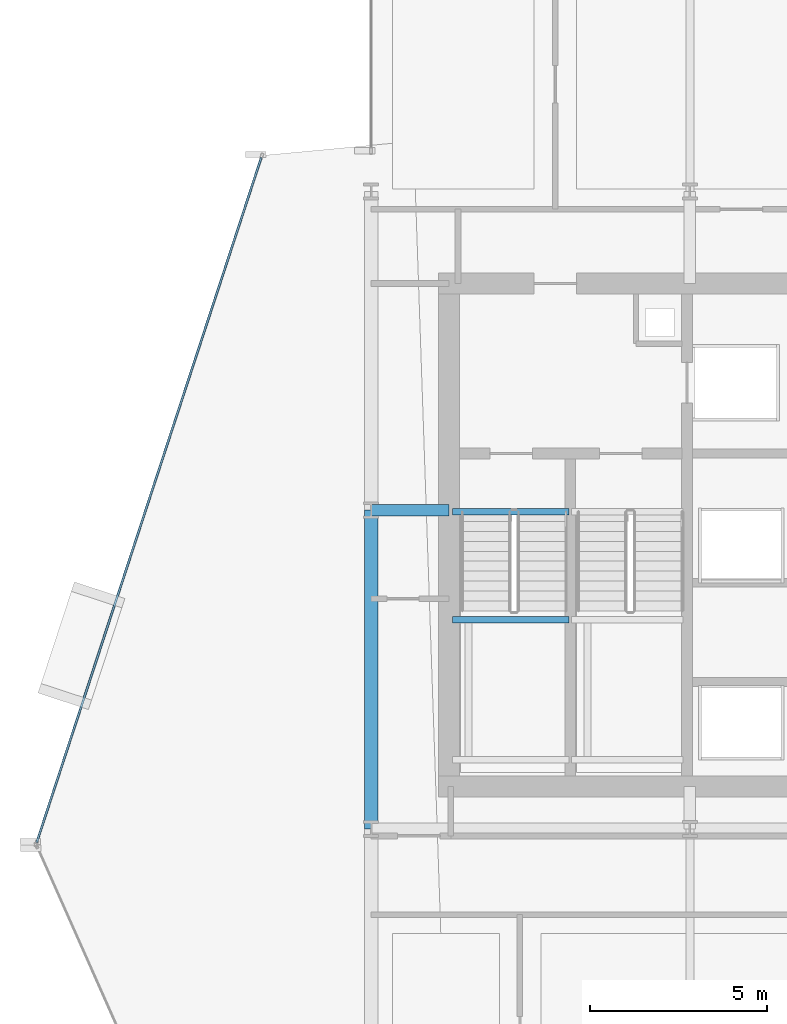
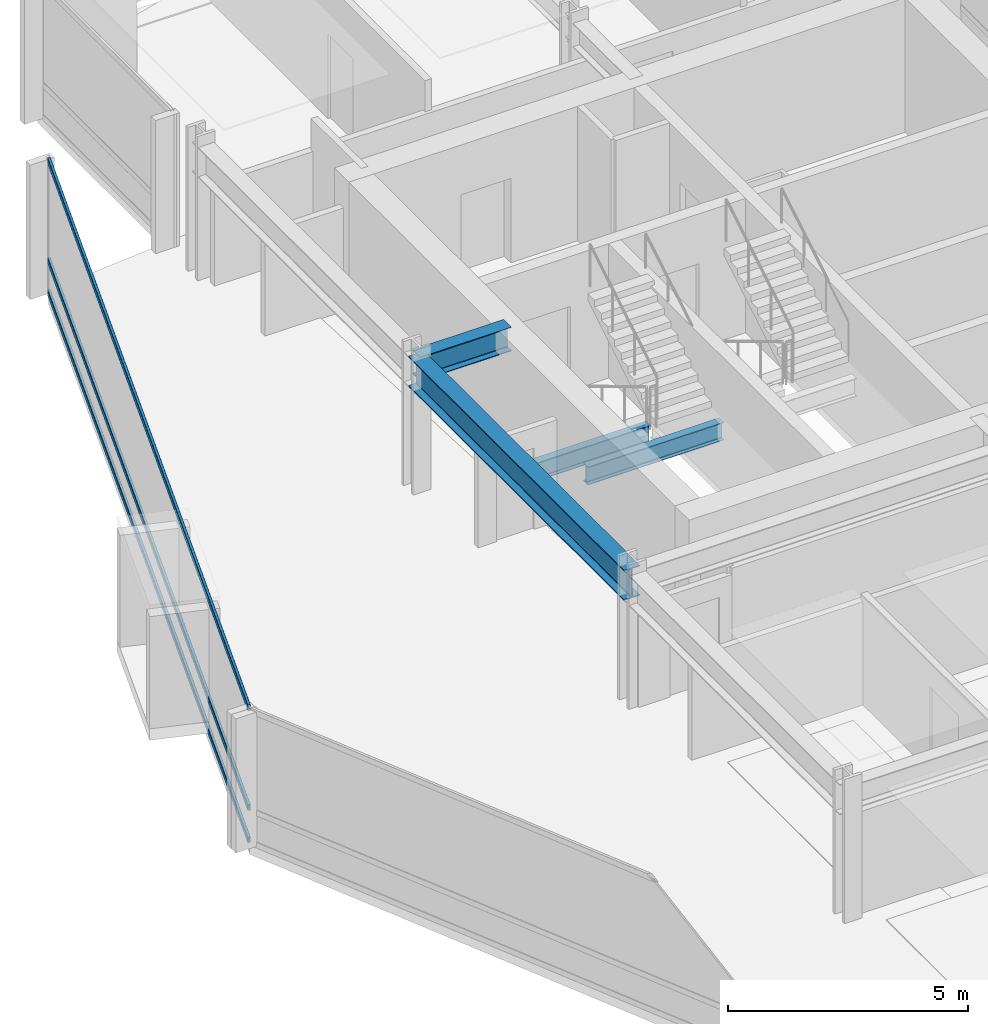
# One storey, part 18 of 34: 4 beams, 3 members, 1 element without a shape of its own.
"""IFC4 building model written with IfcOpenShell, lengths in metres."""

from ifc_helpers import new_model, si_unit, direction, frame, origin, origin_2d, place, context, subcontext, project, spatial, hollow_rectangle, i_section, extrude, material, layer, layer_set, material_profile, profile_set, type_object, element, aggregate, save


model = new_model("IFC4")

# Units and contexts
model_context = context("Model", 3, precision=1e-05, world=origin(), true_north=direction((0.0, 1.0)))
body_context = subcontext(model_context, "Body", "Model", "MODEL_VIEW")
ifc_project = project(units=[si_unit("LENGTHUNIT", "METRE"), si_unit("AREAUNIT", "SQUARE_METRE"), si_unit("VOLUMEUNIT", "CUBIC_METRE"), si_unit("PLANEANGLEUNIT", "RADIAN"), si_unit("MASSUNIT", "GRAM", prefix="KILO")], contexts=[model_context])

# Site, building, storey
site_placement = place(None, origin())
site = spatial("IfcSite", under=ifc_project, at=site_placement, CompositionType="ELEMENT")
building_placement = place(site_placement, origin())
building = spatial("IfcBuilding", under=site, at=building_placement, Name="Solvaryn Broadcast Tower", CompositionType="ELEMENT")
storey_placement = place(building_placement, frame((0.0, 0.0, 69.300048828125)))
storey = spatial("IfcBuildingStorey", under=building, at=storey_placement, Name="L16", CompositionType="ELEMENT", Elevation=69.300048828125)

# Beams
ifc_material_1 = material(Name="Steel ASTM A992 Grade 50", Category="steel")
ifc_material_profile_1 = material_profile(ifc_material_1, i_section(OverallWidth=0.323974609375, OverallDepth=0.611083984375, WebThickness=0.0126953125, FlangeThickness=0.01904296875, FilletRadius=0.014892578125, at=origin_2d()))
ifc_profile_set_1 = profile_set([ifc_material_profile_1], Name="Steel ASTM A992 Grade 50")
beam_type_1 = type_object("IfcBeamType", Name="BM-B1-W24X104", PredefinedType="BEAM", material=ifc_profile_set_1)
beam_1_placement = place(storey_placement, frame((9.0, 36.0, 3.114501953125), z_axis=(1.0, 0.0, 0.0), x_axis=(0.0, 1.0, 0.0)))
element("IfcBeam", 1, at=beam_1_placement, inside=storey, type_object=beam_type_1, Name="L16 Core Tie Beam CTW1", PredefinedType="BEAM", context=body_context, shape_type="SweptSolid", body=[
    extrude(i_section(OverallWidth=0.323974609375, OverallDepth=0.611083984375, WebThickness=0.0126953125, FlangeThickness=0.01904296875, FilletRadius=0.014892578125, at=origin_2d()), origin(), (0.0, 0.0, 1.0), 2.199951171875),
])
ifc_material_2 = material(Name="Steel ASTM A992 Grade 50", Category="steel")
ifc_material_profile_2 = material_profile(ifc_material_2, i_section(OverallWidth=0.18994140625, OverallDepth=0.45703125, WebThickness=0.009033203125, FlangeThickness=0.014404296875, FilletRadius=0.011962890625, at=origin_2d()))
ifc_profile_set_2 = profile_set([ifc_material_profile_2], Name="Steel ASTM A992 Grade 50")
beam_type_2 = type_object("IfcBeamType", Name="BM-B4-W18X50", PredefinedType="BEAM", material=ifc_profile_set_2)
for number, where, z_axis, x_axis, name in (
    (2, (11.300048828125, 35.9599609375, -0.508544921875), (1.0, 0.0, 0.0), (0.0, 1.0, 0.0), "L16 ST1 Stair Well Trimmer Beam"),
    (3, (11.300048828125, 32.909912109375, 1.42138671875), (1.0, 0.0, 0.0), (0.0, 1.0, 0.0), "L16 ST1 Landing Support Beam 1B"),
):
    element("IfcBeam", number, at=place(storey_placement, frame(where, z_axis=z_axis, x_axis=x_axis)), inside=storey, type_object=beam_type_2, Name=name, PredefinedType="BEAM", context=body_context, shape_type="SweptSolid", body=[
        extrude(i_section(OverallWidth=0.18994140625, OverallDepth=0.45703125, WebThickness=0.009033203125, FlangeThickness=0.014404296875, FilletRadius=0.011962890625, at=origin_2d()), origin(), (0.0, 0.0, 1.0), 3.280029296875),
    ])
ifc_material_3 = material(Name="Steel ASTM A992 Grade 50", Category="steel")
ifc_material_profile_3 = material_profile(ifc_material_3, i_section(OverallWidth=0.381103515625, OverallDepth=0.77294921875, WebThickness=0.0166015625, FlangeThickness=0.027099609375, FilletRadius=0.01806640625, at=origin_2d()))
ifc_profile_set_3 = profile_set([ifc_material_profile_3], Name="Steel ASTM A992 Grade 50")
beam_type_3 = type_object("IfcBeamType", Name="BM-SP1-W30X173", PredefinedType="USERDEFINED", material=ifc_profile_set_3)
beam_2_placement = place(storey_placement, frame((9.0, 27.0, 3.033447265625), z_axis=(0.0, 1.0, 0.0), x_axis=(-1.0, 0.0, 0.0)))
element("IfcBeam", 4, at=beam_2_placement, inside=storey, type_object=beam_type_3, Name="L16 Spandrel Beam Y (27-36 @ X=9)", ObjectType="SPANDREL", PredefinedType="USERDEFINED", context=body_context, shape_type="SweptSolid", body=[
    extrude(i_section(OverallWidth=0.381103515625, OverallDepth=0.77294921875, WebThickness=0.0166015625, FlangeThickness=0.027099609375, FilletRadius=0.01806640625, at=origin_2d()), origin(), (0.0, 0.0, 1.0), 9.0),
])

# Curtain wall, members
ifc_material_4 = material(Name="Aluminium and Terracotta Unitised Curtain Wall", Category="masonry")
ifc_layer = layer(ifc_material_4, 0.199951171875)
ifc_layer_set = layer_set([ifc_layer], Name="CW-SYS2-LOWMID")
curtain_wall_type = type_object("IfcCurtainWallType", Name="CW-SYS2-LOWMID", PredefinedType="NOTDEFINED", material=ifc_layer_set)
curtain_wall_placement = place(storey_placement, origin())
curtain_wall = element("IfcCurtainWall", 5, at=curtain_wall_placement, inside=storey, type_object=curtain_wall_type, Name="L16 Curtain Wall DR1", PredefinedType="NOTDEFINED")
ifc_material_5 = material(Name="Anodised Aluminium 6063-T6", Category="aluminium")
ifc_material_profile_4 = material_profile(ifc_material_5, hollow_rectangle(XDim=0.06494140625, YDim=0.14990234375, WallThickness=0.00390625, InnerFilletRadius=0.00390625, OuterFilletRadius=0.008056640625, at=origin_2d()))
ifc_profile_set_4 = profile_set([ifc_material_profile_4], Name="Anodised Aluminium 6063-T6")
member_type = type_object("IfcMemberType", Name="CW-TRN-150", PredefinedType="USERDEFINED", material=ifc_profile_set_4)
member_1_placement = place(storey_placement, frame((5.897216796875, 45.958984375, 0.030029296875), z_axis=(-0.311589549406, -0.950216792475, 0.0), x_axis=(0.950216792475, -0.311589549406, 0.0)))
member_1 = element("IfcMember", 6, at=member_1_placement, type_object=member_type, Name="CWS2 transom 1.1", ObjectType="TRANSOM", PredefinedType="USERDEFINED", context=body_context, shape_type="SweptSolid", body=[
    extrude(hollow_rectangle(XDim=0.06494140625, YDim=0.14990234375, WallThickness=0.00390625, InnerFilletRadius=0.00390625, OuterFilletRadius=0.008056640625, at=origin_2d()), origin(), (0.0, 0.0, 1.0), 20.35546875),
])
member_2_placement = place(storey_placement, frame((5.897216796875, 45.958984375, 0.849853515625), z_axis=(-0.311589549406, -0.950216792475, 0.0), x_axis=(0.950216792475, -0.311589549406, 0.0)))
member_2 = element("IfcMember", 7, at=member_2_placement, type_object=member_type, Name="CWS2 transom 1.2", ObjectType="TRANSOM", PredefinedType="USERDEFINED", context=body_context, shape_type="SweptSolid", body=[
    extrude(hollow_rectangle(XDim=0.06494140625, YDim=0.14990234375, WallThickness=0.00390625, InnerFilletRadius=0.00390625, OuterFilletRadius=0.008056640625, at=origin_2d()), origin(), (0.0, 0.0, 1.0), 20.35546875),
])
member_3_placement = place(storey_placement, frame((5.897216796875, 45.958984375, 3.389892578125), z_axis=(-0.311589549406, -0.950216792475, 0.0), x_axis=(0.950216792475, -0.311589549406, 0.0)))
member_3 = element("IfcMember", 8, at=member_3_placement, type_object=member_type, Name="CWS2 transom 1.3", ObjectType="TRANSOM", PredefinedType="USERDEFINED", context=body_context, shape_type="SweptSolid", body=[
    extrude(hollow_rectangle(XDim=0.06494140625, YDim=0.14990234375, WallThickness=0.00390625, InnerFilletRadius=0.00390625, OuterFilletRadius=0.008056640625, at=origin_2d()), origin(), (0.0, 0.0, 1.0), 20.35546875),
])
aggregate(curtain_wall, [member_1, member_2, member_3])

save(model, "model.ifc")
